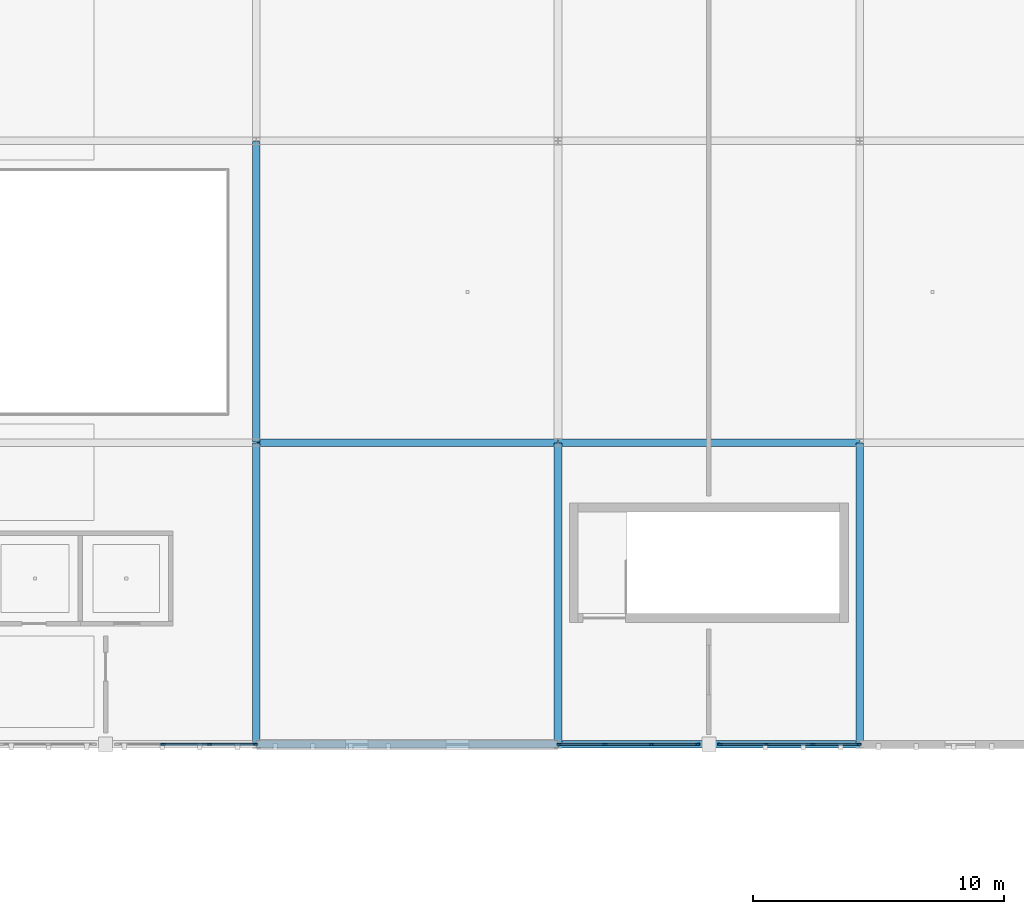
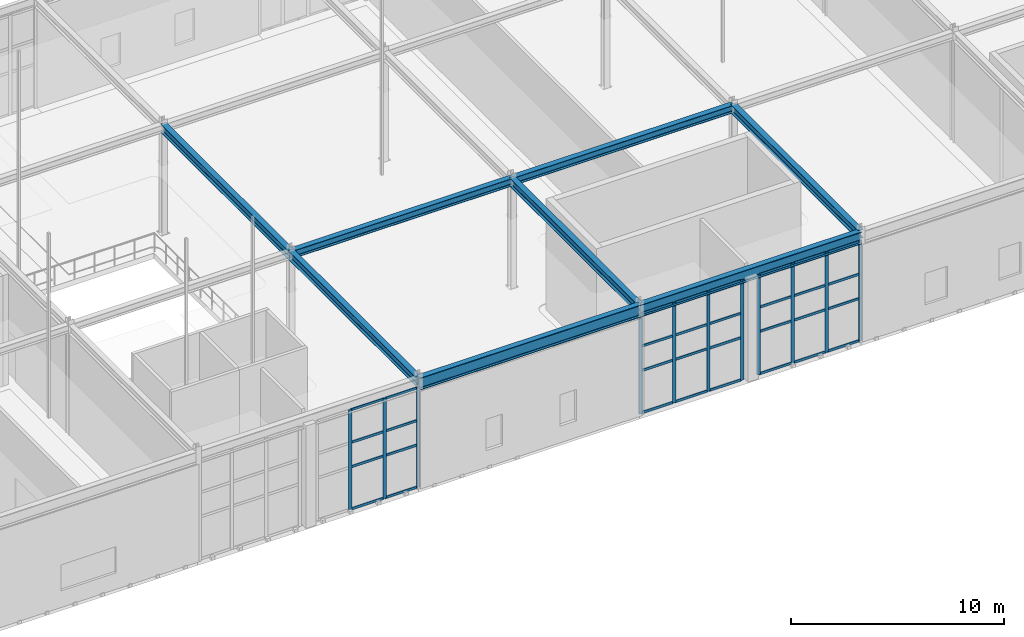
# One storey, part 18 of 62: 43 members, 8 beams, 3 elements without a shape of their own.
"""IFC4 building model written with IfcOpenShell, lengths in metres."""

from ifc_helpers import new_model, si_unit, direction, frame, origin, origin_2d, place, context, subcontext, project, spatial, rectangle, i_section, extrude, material, layer, layer_set, material_profile, profile_set, type_object, element, aggregate, save


model = new_model("IFC4")

# Units and contexts
model_context = context("Model", 3, precision=1e-05, world=origin(), true_north=direction((0.0, 1.0)))
body_context = subcontext(model_context, "Body", "Model", "MODEL_VIEW")
ifc_project = project(units=[si_unit("LENGTHUNIT", "METRE"), si_unit("AREAUNIT", "SQUARE_METRE"), si_unit("VOLUMEUNIT", "CUBIC_METRE"), si_unit("PLANEANGLEUNIT", "RADIAN"), si_unit("MASSUNIT", "GRAM", prefix="KILO")], contexts=[model_context])

# Site, building, storey
site_placement = place(None, origin())
site = spatial("IfcSite", under=ifc_project, at=site_placement, CompositionType="ELEMENT")
building_placement = place(site_placement, origin())
building = spatial("IfcBuilding", under=site, at=building_placement, Name="Zlatogorsky Bluff Art Gallery", CompositionType="ELEMENT")
storey_placement = place(building_placement, frame((0.0, 0.0, 16.800048828125)))
storey = spatial("IfcBuildingStorey", under=building, at=storey_placement, Name="L03", CompositionType="ELEMENT", Elevation=16.800048828125)

# Beams
ifc_material_1 = material(Name="Steel S355", Category="steel")
ifc_material_profile_1 = material_profile(ifc_material_1, i_section(OverallWidth=0.300048828125, OverallDepth=0.699951171875, WebThickness=0.01708984375, FlangeThickness=0.031982421875, FilletRadius=0.027099609375, at=origin_2d()), Name="HEB 700")
ifc_profile_set_1 = profile_set([ifc_material_profile_1], Name="Steel S355")
beam_type_1 = type_object("IfcBeamType", Name="Beam BM-02 HEB 700", PredefinedType="BEAM", material=ifc_profile_set_1)
for number, where, z_axis, x_axis, name in (
    (1, (60.014892578125, 84.0, 5.97998046875), (1.0, 0.0, 0.0), (0.0, 1.0, 0.0), "Primary girder BM-02 L03 F-G/9"),
    (2, (72.014892578125, 84.0, 5.97998046875), (1.0, 0.0, 0.0), (0.0, 1.0, 0.0), "Primary girder BM-02 L03 G-H/9"),
):
    element("IfcBeam", number, at=place(storey_placement, frame(where, z_axis=z_axis, x_axis=x_axis)), inside=storey, type_object=beam_type_1, Name=name, PredefinedType="BEAM", context=body_context, shape_type="SweptSolid", body=[
        extrude(i_section(OverallWidth=0.300048828125, OverallDepth=0.699951171875, WebThickness=0.01708984375, FlangeThickness=0.031982421875, FilletRadius=0.027099609375, at=origin_2d()), origin(), (0.0, 0.0, 1.0), 11.97021484375),
    ])
ifc_material_profile_2 = material_profile(ifc_material_1, i_section(OverallWidth=0.300048828125, OverallDepth=0.489990234375, WebThickness=0.011962890625, FlangeThickness=0.02294921875, FilletRadius=0.027099609375, at=origin_2d()), Name="HEA 500")
ifc_profile_set_2 = profile_set([ifc_material_profile_2], Name="Steel S355")
beam_type_2 = type_object("IfcBeamType", Name="Beam BM-07 HEA 500", PredefinedType="BEAM", material=ifc_profile_set_2)
for number, where, z_axis, x_axis, name in (
    (3, (60.0, 84.014892578125, 6.0849609375), (0.0, 1.0, 0.0), (-1.0, 0.0, 0.0), "Primary girder BM-07 L03 F/9-10"),
    (4, (60.0, 96.014892578125, 6.0849609375), (0.0, 1.0, 0.0), (-1.0, 0.0, 0.0), "Primary girder BM-07 L03 F/10-11"),
    (5, (72.0, 84.014892578125, 6.0849609375), (0.0, 1.0, 0.0), (-1.0, 0.0, 0.0), "Primary girder BM-07 L03 G/9-10"),
    (6, (84.0, 84.014892578125, 6.0849609375), (0.0, 1.0, 0.0), (-1.0, 0.0, 0.0), "Primary girder BM-07 L03 H/9-10"),
):
    element("IfcBeam", number, at=place(storey_placement, frame(where, z_axis=z_axis, x_axis=x_axis)), inside=storey, type_object=beam_type_2, Name=name, PredefinedType="BEAM", context=body_context, shape_type="SweptSolid", body=[
        extrude(i_section(OverallWidth=0.300048828125, OverallDepth=0.489990234375, WebThickness=0.011962890625, FlangeThickness=0.02294921875, FilletRadius=0.027099609375, at=origin_2d()), origin(), (0.0, 0.0, 1.0), 11.97021484375),
    ])
ifc_material_profile_3 = material_profile(ifc_material_1, i_section(OverallWidth=0.300048828125, OverallDepth=0.43994140625, WebThickness=0.011474609375, FlangeThickness=0.02099609375, FilletRadius=0.027099609375, at=origin_2d()), Name="HEA 450")
ifc_profile_set_3 = profile_set([ifc_material_profile_3], Name="Steel S355")
beam_type_3 = type_object("IfcBeamType", Name="Beam BM-08 HEA 450", PredefinedType="BEAM", material=ifc_profile_set_3)
for number, where, z_axis, x_axis, name in (
    (7, (60.014892578125, 96.0, 6.10986328125), (1.0, 0.0, 0.0), (0.0, 1.0, 0.0), "Primary girder BM-08 L03 F-G/10"),
    (8, (72.014892578125, 96.0, 6.10986328125), (1.0, 0.0, 0.0), (0.0, 1.0, 0.0), "Primary girder BM-08 L03 G-H/10"),
):
    element("IfcBeam", number, at=place(storey_placement, frame(where, z_axis=z_axis, x_axis=x_axis)), inside=storey, type_object=beam_type_3, Name=name, PredefinedType="BEAM", context=body_context, shape_type="SweptSolid", body=[
        extrude(i_section(OverallWidth=0.300048828125, OverallDepth=0.43994140625, WebThickness=0.011474609375, FlangeThickness=0.02099609375, FilletRadius=0.027099609375, at=origin_2d()), origin(), (0.0, 0.0, 1.0), 11.97021484375),
    ])

# Curtain wall, members
ifc_material_2 = material(Name="Anodised Bronze Aluminium and Low-Iron Triple Glazing", Category="aluminium")
ifc_layer = layer(ifc_material_2, 0.219970703125)
ifc_layer_set = layer_set([ifc_layer], Name="Curtain Wall CW-04")
curtain_wall_type = type_object("IfcCurtainWallType", Name="Curtain Wall CW-04", PredefinedType="USERDEFINED", material=ifc_layer_set)
curtain_wall_1_placement = place(storey_placement, origin())
curtain_wall_1 = element("IfcCurtainWall", 9, at=curtain_wall_1_placement, inside=storey, type_object=curtain_wall_type, Name="Unitised curtain wall CW-04 L03 S 4.8-B", ObjectType="CURTAIN WALL", PredefinedType="USERDEFINED")
ifc_material_3 = material(Name="Anodised Bronze Aluminium", Category="aluminium")
ifc_material_profile_4 = material_profile(ifc_material_3, rectangle(XDim=0.06494140625, YDim=0.179931640625, at=origin_2d()), Name="ALU MULLION 65x180")
ifc_profile_set_4 = profile_set([ifc_material_profile_4], Name="Anodised Bronze Aluminium")
member_type_1 = type_object("IfcMemberType", Name="Curtain Mullion ML-01", PredefinedType="MULLION", material=ifc_profile_set_4)
member_1_placement = place(storey_placement, frame((56.280029296875, 84.0, 0.0), z_axis=(0.0, 0.0, 1.0), x_axis=(0.0, 1.0, 0.0)))
member_1 = element("IfcMember", 10, at=member_1_placement, type_object=member_type_1, Name="CW-04 mullion 2", PredefinedType="MULLION", context=body_context, shape_type="SweptSolid", body=[
    extrude(rectangle(XDim=0.06494140625, YDim=0.179931640625, at=origin_2d()), origin(), (0.0, 0.0, 1.0), 5.75),
])
member_2_placement = place(storey_placement, frame((58.139892578125, 84.0, 0.0), z_axis=(0.0, 0.0, 1.0), x_axis=(0.0, 1.0, 0.0)))
member_2 = element("IfcMember", 11, at=member_2_placement, type_object=member_type_1, Name="CW-04 mullion 3", PredefinedType="MULLION", context=body_context, shape_type="SweptSolid", body=[
    extrude(rectangle(XDim=0.06494140625, YDim=0.179931640625, at=origin_2d()), origin(), (0.0, 0.0, 1.0), 5.75),
])
member_3_placement = place(storey_placement, frame((59.967529296875, 84.0, 0.0), z_axis=(0.0, 0.0, 1.0), x_axis=(0.0, 1.0, 0.0)))
member_3 = element("IfcMember", 12, at=member_3_placement, type_object=member_type_1, Name="CW-04 mullion 4", PredefinedType="MULLION", context=body_context, shape_type="SweptSolid", body=[
    extrude(rectangle(XDim=0.06494140625, YDim=0.179931640625, at=origin_2d()), origin(), (0.0, 0.0, 1.0), 5.75),
])

curtain_wall_2_placement = place(storey_placement, origin())
curtain_wall_2 = element("IfcCurtainWall", 13, at=curtain_wall_2_placement, inside=storey, type_object=curtain_wall_type, Name="Unitised curtain wall CW-04 L03 S 6.8-A", ObjectType="CURTAIN WALL", PredefinedType="USERDEFINED")
member_4_placement = place(storey_placement, frame((72.032470703125, 84.0, 0.0), z_axis=(0.0, 0.0, 1.0), x_axis=(0.0, 1.0, 0.0)))
member_4 = element("IfcMember", 14, at=member_4_placement, type_object=member_type_1, Name="CW-04 mullion 1", PredefinedType="MULLION", context=body_context, shape_type="SweptSolid", body=[
    extrude(rectangle(XDim=0.06494140625, YDim=0.179931640625, at=origin_2d()), origin(), (0.0, 0.0, 1.0), 5.75),
])
member_5_placement = place(storey_placement, frame((73.860107421875, 84.0, 0.0), z_axis=(0.0, 0.0, 1.0), x_axis=(0.0, 1.0, 0.0)))
member_5 = element("IfcMember", 15, at=member_5_placement, type_object=member_type_1, Name="CW-04 mullion 2", PredefinedType="MULLION", context=body_context, shape_type="SweptSolid", body=[
    extrude(rectangle(XDim=0.06494140625, YDim=0.179931640625, at=origin_2d()), origin(), (0.0, 0.0, 1.0), 5.75),
])
member_6_placement = place(storey_placement, frame((75.719970703125, 84.0, 0.0), z_axis=(0.0, 0.0, 1.0), x_axis=(0.0, 1.0, 0.0)))
member_6 = element("IfcMember", 16, at=member_6_placement, type_object=member_type_1, Name="CW-04 mullion 3", PredefinedType="MULLION", context=body_context, shape_type="SweptSolid", body=[
    extrude(rectangle(XDim=0.06494140625, YDim=0.179931640625, at=origin_2d()), origin(), (0.0, 0.0, 1.0), 5.75),
])
member_7_placement = place(storey_placement, frame((77.547607421875, 84.0, 0.0), z_axis=(0.0, 0.0, 1.0), x_axis=(0.0, 1.0, 0.0)))
member_7 = element("IfcMember", 17, at=member_7_placement, type_object=member_type_1, Name="CW-04 mullion 4", PredefinedType="MULLION", context=body_context, shape_type="SweptSolid", body=[
    extrude(rectangle(XDim=0.06494140625, YDim=0.179931640625, at=origin_2d()), origin(), (0.0, 0.0, 1.0), 5.75),
])

curtain_wall_3_placement = place(storey_placement, origin())
curtain_wall_3 = element("IfcCurtainWall", 18, at=curtain_wall_3_placement, inside=storey, type_object=curtain_wall_type, Name="Unitised curtain wall CW-04 L03 S 6.8-B", ObjectType="CURTAIN WALL", PredefinedType="USERDEFINED")
member_8_placement = place(storey_placement, frame((78.452392578125, 84.0, 0.0), z_axis=(0.0, 0.0, 1.0), x_axis=(0.0, 1.0, 0.0)))
member_8 = element("IfcMember", 19, at=member_8_placement, type_object=member_type_1, Name="CW-04 mullion 1", PredefinedType="MULLION", context=body_context, shape_type="SweptSolid", body=[
    extrude(rectangle(XDim=0.06494140625, YDim=0.179931640625, at=origin_2d()), origin(), (0.0, 0.0, 1.0), 5.75),
])
member_9_placement = place(storey_placement, frame((80.280029296875, 84.0, 0.0), z_axis=(0.0, 0.0, 1.0), x_axis=(0.0, 1.0, 0.0)))
member_9 = element("IfcMember", 20, at=member_9_placement, type_object=member_type_1, Name="CW-04 mullion 2", PredefinedType="MULLION", context=body_context, shape_type="SweptSolid", body=[
    extrude(rectangle(XDim=0.06494140625, YDim=0.179931640625, at=origin_2d()), origin(), (0.0, 0.0, 1.0), 5.75),
])
member_10_placement = place(storey_placement, frame((82.139892578125, 84.0, 0.0), z_axis=(0.0, 0.0, 1.0), x_axis=(0.0, 1.0, 0.0)))
member_10 = element("IfcMember", 21, at=member_10_placement, type_object=member_type_1, Name="CW-04 mullion 3", PredefinedType="MULLION", context=body_context, shape_type="SweptSolid", body=[
    extrude(rectangle(XDim=0.06494140625, YDim=0.179931640625, at=origin_2d()), origin(), (0.0, 0.0, 1.0), 5.75),
])
member_11_placement = place(storey_placement, frame((83.967529296875, 84.0, 0.0), z_axis=(0.0, 0.0, 1.0), x_axis=(0.0, 1.0, 0.0)))
member_11 = element("IfcMember", 22, at=member_11_placement, type_object=member_type_1, Name="CW-04 mullion 4", PredefinedType="MULLION", context=body_context, shape_type="SweptSolid", body=[
    extrude(rectangle(XDim=0.06494140625, YDim=0.179931640625, at=origin_2d()), origin(), (0.0, 0.0, 1.0), 5.75),
])

# Member
ifc_material_profile_5 = material_profile(ifc_material_3, rectangle(XDim=0.06494140625, YDim=0.139892578125, at=origin_2d()), Name="ALU TRANSOM 65x140")
ifc_profile_set_5 = profile_set([ifc_material_profile_5], Name="Anodised Bronze Aluminium")
member_type_2 = type_object("IfcMemberType", Name="Curtain Transom TR-01", PredefinedType="USERDEFINED", material=ifc_profile_set_5)
member_12_placement = place(storey_placement, frame((56.3125, 84.0, 0.032470703125), z_axis=(1.0, 0.0, 0.0), x_axis=(0.0, 1.0, 0.0)))
member_12 = element("IfcMember", 23, at=member_12_placement, type_object=member_type_2, Name="CW-04 transom 2.1", ObjectType="TRANSOM", PredefinedType="USERDEFINED", context=body_context, shape_type="SweptSolid", body=[
    extrude(rectangle(XDim=0.06494140625, YDim=0.139892578125, at=origin_2d()), origin(), (0.0, 0.0, 1.0), 1.794921875),
])

member_13_placement = place(storey_placement, frame((56.3125, 84.0, 2.449951171875), z_axis=(1.0, 0.0, 0.0), x_axis=(0.0, 1.0, 0.0)))
member_13 = element("IfcMember", 24, at=member_13_placement, type_object=member_type_2, Name="CW-04 transom 2.2", ObjectType="TRANSOM", PredefinedType="USERDEFINED", context=body_context, shape_type="SweptSolid", body=[
    extrude(rectangle(XDim=0.06494140625, YDim=0.139892578125, at=origin_2d()), origin(), (0.0, 0.0, 1.0), 1.794921875),
])

member_14_placement = place(storey_placement, frame((56.3125, 84.0, 3.849853515625), z_axis=(1.0, 0.0, 0.0), x_axis=(0.0, 1.0, 0.0)))
member_14 = element("IfcMember", 25, at=member_14_placement, type_object=member_type_2, Name="CW-04 transom 2.3", ObjectType="TRANSOM", PredefinedType="USERDEFINED", context=body_context, shape_type="SweptSolid", body=[
    extrude(rectangle(XDim=0.06494140625, YDim=0.139892578125, at=origin_2d()), origin(), (0.0, 0.0, 1.0), 1.794921875),
])

member_15_placement = place(storey_placement, frame((56.3125, 84.0, 5.717529296875), z_axis=(1.0, 0.0, 0.0), x_axis=(0.0, 1.0, 0.0)))
member_15 = element("IfcMember", 26, at=member_15_placement, type_object=member_type_2, Name="CW-04 transom 2.4", ObjectType="TRANSOM", PredefinedType="USERDEFINED", context=body_context, shape_type="SweptSolid", body=[
    extrude(rectangle(XDim=0.06494140625, YDim=0.139892578125, at=origin_2d()), origin(), (0.0, 0.0, 1.0), 1.794921875),
])

member_16_placement = place(storey_placement, frame((58.172607421875, 84.0, 0.032470703125), z_axis=(1.0, 0.0, 0.0), x_axis=(0.0, 1.0, 0.0)))
member_16 = element("IfcMember", 27, at=member_16_placement, type_object=member_type_2, Name="CW-04 transom 3.1", ObjectType="TRANSOM", PredefinedType="USERDEFINED", context=body_context, shape_type="SweptSolid", body=[
    extrude(rectangle(XDim=0.06494140625, YDim=0.139892578125, at=origin_2d()), origin(), (0.0, 0.0, 1.0), 1.762451171875),
])

member_17_placement = place(storey_placement, frame((58.172607421875, 84.0, 2.449951171875), z_axis=(1.0, 0.0, 0.0), x_axis=(0.0, 1.0, 0.0)))
member_17 = element("IfcMember", 28, at=member_17_placement, type_object=member_type_2, Name="CW-04 transom 3.2", ObjectType="TRANSOM", PredefinedType="USERDEFINED", context=body_context, shape_type="SweptSolid", body=[
    extrude(rectangle(XDim=0.06494140625, YDim=0.139892578125, at=origin_2d()), origin(), (0.0, 0.0, 1.0), 1.762451171875),
])

member_18_placement = place(storey_placement, frame((58.172607421875, 84.0, 3.849853515625), z_axis=(1.0, 0.0, 0.0), x_axis=(0.0, 1.0, 0.0)))
member_18 = element("IfcMember", 29, at=member_18_placement, type_object=member_type_2, Name="CW-04 transom 3.3", ObjectType="TRANSOM", PredefinedType="USERDEFINED", context=body_context, shape_type="SweptSolid", body=[
    extrude(rectangle(XDim=0.06494140625, YDim=0.139892578125, at=origin_2d()), origin(), (0.0, 0.0, 1.0), 1.762451171875),
])

member_19_placement = place(storey_placement, frame((58.172607421875, 84.0, 5.717529296875), z_axis=(1.0, 0.0, 0.0), x_axis=(0.0, 1.0, 0.0)))
member_19 = element("IfcMember", 30, at=member_19_placement, type_object=member_type_2, Name="CW-04 transom 3.4", ObjectType="TRANSOM", PredefinedType="USERDEFINED", context=body_context, shape_type="SweptSolid", body=[
    extrude(rectangle(XDim=0.06494140625, YDim=0.139892578125, at=origin_2d()), origin(), (0.0, 0.0, 1.0), 1.762451171875),
])

aggregate(curtain_wall_1, [member_1, member_2, member_3, member_12, member_13, member_14, member_15, member_16, member_17, member_18, member_19])

member_20_placement = place(storey_placement, frame((72.06494140625, 84.0, 0.032470703125), z_axis=(1.0, 0.0, 0.0), x_axis=(0.0, 1.0, 0.0)))
member_20 = element("IfcMember", 31, at=member_20_placement, type_object=member_type_2, Name="CW-04 transom 1.1", ObjectType="TRANSOM", PredefinedType="USERDEFINED", context=body_context, shape_type="SweptSolid", body=[
    extrude(rectangle(XDim=0.06494140625, YDim=0.139892578125, at=origin_2d()), origin(), (0.0, 0.0, 1.0), 1.762451171875),
])

member_21_placement = place(storey_placement, frame((72.06494140625, 84.0, 2.449951171875), z_axis=(1.0, 0.0, 0.0), x_axis=(0.0, 1.0, 0.0)))
member_21 = element("IfcMember", 32, at=member_21_placement, type_object=member_type_2, Name="CW-04 transom 1.2", ObjectType="TRANSOM", PredefinedType="USERDEFINED", context=body_context, shape_type="SweptSolid", body=[
    extrude(rectangle(XDim=0.06494140625, YDim=0.139892578125, at=origin_2d()), origin(), (0.0, 0.0, 1.0), 1.762451171875),
])

member_22_placement = place(storey_placement, frame((72.06494140625, 84.0, 3.849853515625), z_axis=(1.0, 0.0, 0.0), x_axis=(0.0, 1.0, 0.0)))
member_22 = element("IfcMember", 33, at=member_22_placement, type_object=member_type_2, Name="CW-04 transom 1.3", ObjectType="TRANSOM", PredefinedType="USERDEFINED", context=body_context, shape_type="SweptSolid", body=[
    extrude(rectangle(XDim=0.06494140625, YDim=0.139892578125, at=origin_2d()), origin(), (0.0, 0.0, 1.0), 1.762451171875),
])

member_23_placement = place(storey_placement, frame((72.06494140625, 84.0, 5.717529296875), z_axis=(1.0, 0.0, 0.0), x_axis=(0.0, 1.0, 0.0)))
member_23 = element("IfcMember", 34, at=member_23_placement, type_object=member_type_2, Name="CW-04 transom 1.4", ObjectType="TRANSOM", PredefinedType="USERDEFINED", context=body_context, shape_type="SweptSolid", body=[
    extrude(rectangle(XDim=0.06494140625, YDim=0.139892578125, at=origin_2d()), origin(), (0.0, 0.0, 1.0), 1.762451171875),
])

member_24_placement = place(storey_placement, frame((73.892578125, 84.0, 0.032470703125), z_axis=(1.0, 0.0, 0.0), x_axis=(0.0, 1.0, 0.0)))
member_24 = element("IfcMember", 35, at=member_24_placement, type_object=member_type_2, Name="CW-04 transom 2.1", ObjectType="TRANSOM", PredefinedType="USERDEFINED", context=body_context, shape_type="SweptSolid", body=[
    extrude(rectangle(XDim=0.06494140625, YDim=0.139892578125, at=origin_2d()), origin(), (0.0, 0.0, 1.0), 1.794921875),
])

member_25_placement = place(storey_placement, frame((73.892578125, 84.0, 2.449951171875), z_axis=(1.0, 0.0, 0.0), x_axis=(0.0, 1.0, 0.0)))
member_25 = element("IfcMember", 36, at=member_25_placement, type_object=member_type_2, Name="CW-04 transom 2.2", ObjectType="TRANSOM", PredefinedType="USERDEFINED", context=body_context, shape_type="SweptSolid", body=[
    extrude(rectangle(XDim=0.06494140625, YDim=0.139892578125, at=origin_2d()), origin(), (0.0, 0.0, 1.0), 1.794921875),
])

member_26_placement = place(storey_placement, frame((73.892578125, 84.0, 3.849853515625), z_axis=(1.0, 0.0, 0.0), x_axis=(0.0, 1.0, 0.0)))
member_26 = element("IfcMember", 37, at=member_26_placement, type_object=member_type_2, Name="CW-04 transom 2.3", ObjectType="TRANSOM", PredefinedType="USERDEFINED", context=body_context, shape_type="SweptSolid", body=[
    extrude(rectangle(XDim=0.06494140625, YDim=0.139892578125, at=origin_2d()), origin(), (0.0, 0.0, 1.0), 1.794921875),
])

member_27_placement = place(storey_placement, frame((73.892578125, 84.0, 5.717529296875), z_axis=(1.0, 0.0, 0.0), x_axis=(0.0, 1.0, 0.0)))
member_27 = element("IfcMember", 38, at=member_27_placement, type_object=member_type_2, Name="CW-04 transom 2.4", ObjectType="TRANSOM", PredefinedType="USERDEFINED", context=body_context, shape_type="SweptSolid", body=[
    extrude(rectangle(XDim=0.06494140625, YDim=0.139892578125, at=origin_2d()), origin(), (0.0, 0.0, 1.0), 1.794921875),
])

member_28_placement = place(storey_placement, frame((75.75244140625, 84.0, 0.032470703125), z_axis=(1.0, 0.0, 0.0), x_axis=(0.0, 1.0, 0.0)))
member_28 = element("IfcMember", 39, at=member_28_placement, type_object=member_type_2, Name="CW-04 transom 3.1", ObjectType="TRANSOM", PredefinedType="USERDEFINED", context=body_context, shape_type="SweptSolid", body=[
    extrude(rectangle(XDim=0.06494140625, YDim=0.139892578125, at=origin_2d()), origin(), (0.0, 0.0, 1.0), 1.762451171875),
])

member_29_placement = place(storey_placement, frame((75.75244140625, 84.0, 2.449951171875), z_axis=(1.0, 0.0, 0.0), x_axis=(0.0, 1.0, 0.0)))
member_29 = element("IfcMember", 40, at=member_29_placement, type_object=member_type_2, Name="CW-04 transom 3.2", ObjectType="TRANSOM", PredefinedType="USERDEFINED", context=body_context, shape_type="SweptSolid", body=[
    extrude(rectangle(XDim=0.06494140625, YDim=0.139892578125, at=origin_2d()), origin(), (0.0, 0.0, 1.0), 1.762451171875),
])

member_30_placement = place(storey_placement, frame((75.75244140625, 84.0, 3.849853515625), z_axis=(1.0, 0.0, 0.0), x_axis=(0.0, 1.0, 0.0)))
member_30 = element("IfcMember", 41, at=member_30_placement, type_object=member_type_2, Name="CW-04 transom 3.3", ObjectType="TRANSOM", PredefinedType="USERDEFINED", context=body_context, shape_type="SweptSolid", body=[
    extrude(rectangle(XDim=0.06494140625, YDim=0.139892578125, at=origin_2d()), origin(), (0.0, 0.0, 1.0), 1.762451171875),
])

member_31_placement = place(storey_placement, frame((75.75244140625, 84.0, 5.717529296875), z_axis=(1.0, 0.0, 0.0), x_axis=(0.0, 1.0, 0.0)))
member_31 = element("IfcMember", 42, at=member_31_placement, type_object=member_type_2, Name="CW-04 transom 3.4", ObjectType="TRANSOM", PredefinedType="USERDEFINED", context=body_context, shape_type="SweptSolid", body=[
    extrude(rectangle(XDim=0.06494140625, YDim=0.139892578125, at=origin_2d()), origin(), (0.0, 0.0, 1.0), 1.762451171875),
])

aggregate(curtain_wall_2, [member_4, member_5, member_6, member_7, member_20, member_21, member_22, member_23, member_24, member_25, member_26, member_27, member_28, member_29, member_30, member_31])

member_32_placement = place(storey_placement, frame((78.485107421875, 84.0, 0.032470703125), z_axis=(1.0, 0.0, 0.0), x_axis=(0.0, 1.0, 0.0)))
member_32 = element("IfcMember", 43, at=member_32_placement, type_object=member_type_2, Name="CW-04 transom 1.1", ObjectType="TRANSOM", PredefinedType="USERDEFINED", context=body_context, shape_type="SweptSolid", body=[
    extrude(rectangle(XDim=0.06494140625, YDim=0.139892578125, at=origin_2d()), origin(), (0.0, 0.0, 1.0), 1.762451171875),
])

member_33_placement = place(storey_placement, frame((78.485107421875, 84.0, 2.449951171875), z_axis=(1.0, 0.0, 0.0), x_axis=(0.0, 1.0, 0.0)))
member_33 = element("IfcMember", 44, at=member_33_placement, type_object=member_type_2, Name="CW-04 transom 1.2", ObjectType="TRANSOM", PredefinedType="USERDEFINED", context=body_context, shape_type="SweptSolid", body=[
    extrude(rectangle(XDim=0.06494140625, YDim=0.139892578125, at=origin_2d()), origin(), (0.0, 0.0, 1.0), 1.762451171875),
])

member_34_placement = place(storey_placement, frame((78.485107421875, 84.0, 3.849853515625), z_axis=(1.0, 0.0, 0.0), x_axis=(0.0, 1.0, 0.0)))
member_34 = element("IfcMember", 45, at=member_34_placement, type_object=member_type_2, Name="CW-04 transom 1.3", ObjectType="TRANSOM", PredefinedType="USERDEFINED", context=body_context, shape_type="SweptSolid", body=[
    extrude(rectangle(XDim=0.06494140625, YDim=0.139892578125, at=origin_2d()), origin(), (0.0, 0.0, 1.0), 1.762451171875),
])

member_35_placement = place(storey_placement, frame((78.485107421875, 84.0, 5.717529296875), z_axis=(1.0, 0.0, 0.0), x_axis=(0.0, 1.0, 0.0)))
member_35 = element("IfcMember", 46, at=member_35_placement, type_object=member_type_2, Name="CW-04 transom 1.4", ObjectType="TRANSOM", PredefinedType="USERDEFINED", context=body_context, shape_type="SweptSolid", body=[
    extrude(rectangle(XDim=0.06494140625, YDim=0.139892578125, at=origin_2d()), origin(), (0.0, 0.0, 1.0), 1.762451171875),
])

member_36_placement = place(storey_placement, frame((80.3125, 84.0, 0.032470703125), z_axis=(1.0, 0.0, 0.0), x_axis=(0.0, 1.0, 0.0)))
member_36 = element("IfcMember", 47, at=member_36_placement, type_object=member_type_2, Name="CW-04 transom 2.1", ObjectType="TRANSOM", PredefinedType="USERDEFINED", context=body_context, shape_type="SweptSolid", body=[
    extrude(rectangle(XDim=0.06494140625, YDim=0.139892578125, at=origin_2d()), origin(), (0.0, 0.0, 1.0), 1.794921875),
])

member_37_placement = place(storey_placement, frame((80.3125, 84.0, 2.449951171875), z_axis=(1.0, 0.0, 0.0), x_axis=(0.0, 1.0, 0.0)))
member_37 = element("IfcMember", 48, at=member_37_placement, type_object=member_type_2, Name="CW-04 transom 2.2", ObjectType="TRANSOM", PredefinedType="USERDEFINED", context=body_context, shape_type="SweptSolid", body=[
    extrude(rectangle(XDim=0.06494140625, YDim=0.139892578125, at=origin_2d()), origin(), (0.0, 0.0, 1.0), 1.794921875),
])

member_38_placement = place(storey_placement, frame((80.3125, 84.0, 3.849853515625), z_axis=(1.0, 0.0, 0.0), x_axis=(0.0, 1.0, 0.0)))
member_38 = element("IfcMember", 49, at=member_38_placement, type_object=member_type_2, Name="CW-04 transom 2.3", ObjectType="TRANSOM", PredefinedType="USERDEFINED", context=body_context, shape_type="SweptSolid", body=[
    extrude(rectangle(XDim=0.06494140625, YDim=0.139892578125, at=origin_2d()), origin(), (0.0, 0.0, 1.0), 1.794921875),
])

member_39_placement = place(storey_placement, frame((80.3125, 84.0, 5.717529296875), z_axis=(1.0, 0.0, 0.0), x_axis=(0.0, 1.0, 0.0)))
member_39 = element("IfcMember", 50, at=member_39_placement, type_object=member_type_2, Name="CW-04 transom 2.4", ObjectType="TRANSOM", PredefinedType="USERDEFINED", context=body_context, shape_type="SweptSolid", body=[
    extrude(rectangle(XDim=0.06494140625, YDim=0.139892578125, at=origin_2d()), origin(), (0.0, 0.0, 1.0), 1.794921875),
])

member_40_placement = place(storey_placement, frame((82.172607421875, 84.0, 0.032470703125), z_axis=(1.0, 0.0, 0.0), x_axis=(0.0, 1.0, 0.0)))
member_40 = element("IfcMember", 51, at=member_40_placement, type_object=member_type_2, Name="CW-04 transom 3.1", ObjectType="TRANSOM", PredefinedType="USERDEFINED", context=body_context, shape_type="SweptSolid", body=[
    extrude(rectangle(XDim=0.06494140625, YDim=0.139892578125, at=origin_2d()), origin(), (0.0, 0.0, 1.0), 1.762451171875),
])

member_41_placement = place(storey_placement, frame((82.172607421875, 84.0, 2.449951171875), z_axis=(1.0, 0.0, 0.0), x_axis=(0.0, 1.0, 0.0)))
member_41 = element("IfcMember", 52, at=member_41_placement, type_object=member_type_2, Name="CW-04 transom 3.2", ObjectType="TRANSOM", PredefinedType="USERDEFINED", context=body_context, shape_type="SweptSolid", body=[
    extrude(rectangle(XDim=0.06494140625, YDim=0.139892578125, at=origin_2d()), origin(), (0.0, 0.0, 1.0), 1.762451171875),
])

member_42_placement = place(storey_placement, frame((82.172607421875, 84.0, 3.849853515625), z_axis=(1.0, 0.0, 0.0), x_axis=(0.0, 1.0, 0.0)))
member_42 = element("IfcMember", 53, at=member_42_placement, type_object=member_type_2, Name="CW-04 transom 3.3", ObjectType="TRANSOM", PredefinedType="USERDEFINED", context=body_context, shape_type="SweptSolid", body=[
    extrude(rectangle(XDim=0.06494140625, YDim=0.139892578125, at=origin_2d()), origin(), (0.0, 0.0, 1.0), 1.762451171875),
])

member_43_placement = place(storey_placement, frame((82.172607421875, 84.0, 5.717529296875), z_axis=(1.0, 0.0, 0.0), x_axis=(0.0, 1.0, 0.0)))
member_43 = element("IfcMember", 54, at=member_43_placement, type_object=member_type_2, Name="CW-04 transom 3.4", ObjectType="TRANSOM", PredefinedType="USERDEFINED", context=body_context, shape_type="SweptSolid", body=[
    extrude(rectangle(XDim=0.06494140625, YDim=0.139892578125, at=origin_2d()), origin(), (0.0, 0.0, 1.0), 1.762451171875),
])

aggregate(curtain_wall_3, [member_8, member_9, member_10, member_11, member_32, member_33, member_34, member_35, member_36, member_37, member_38, member_39, member_40, member_41, member_42, member_43])

save(model, "model.ifc")
